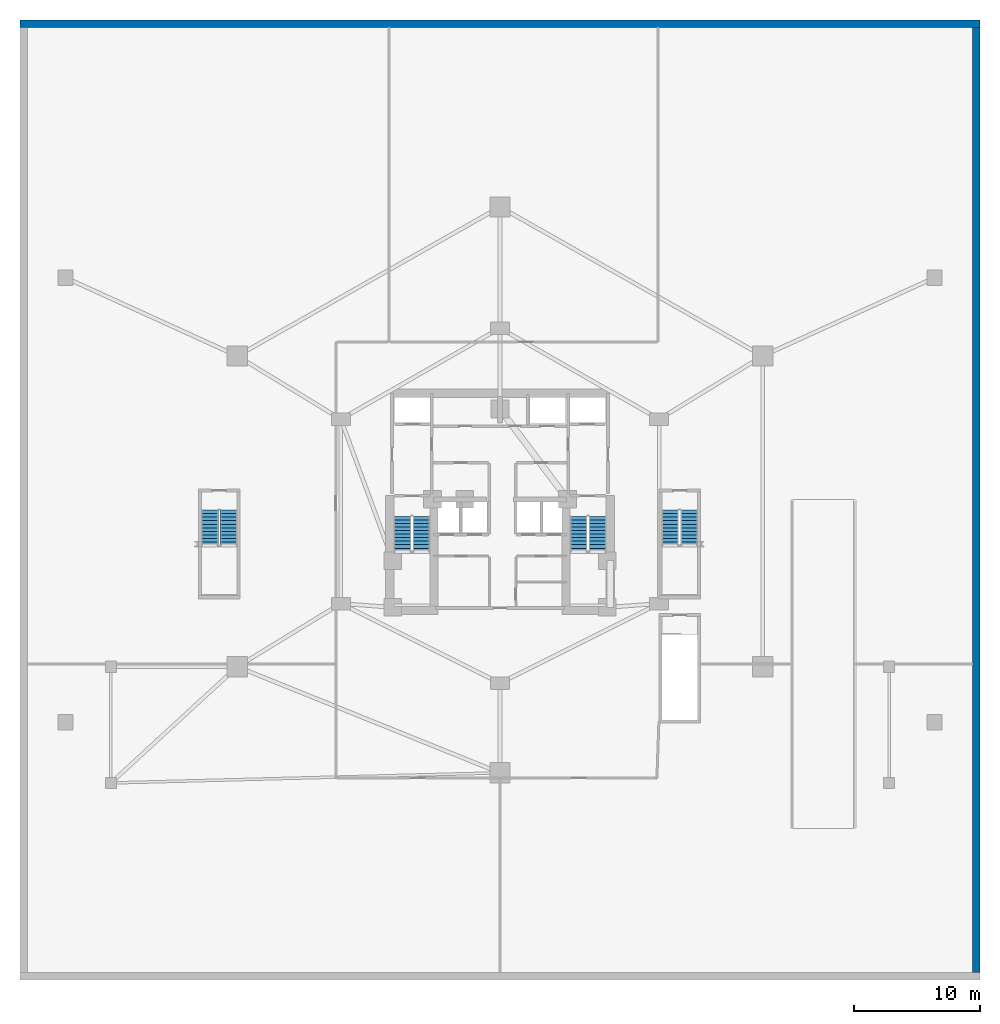
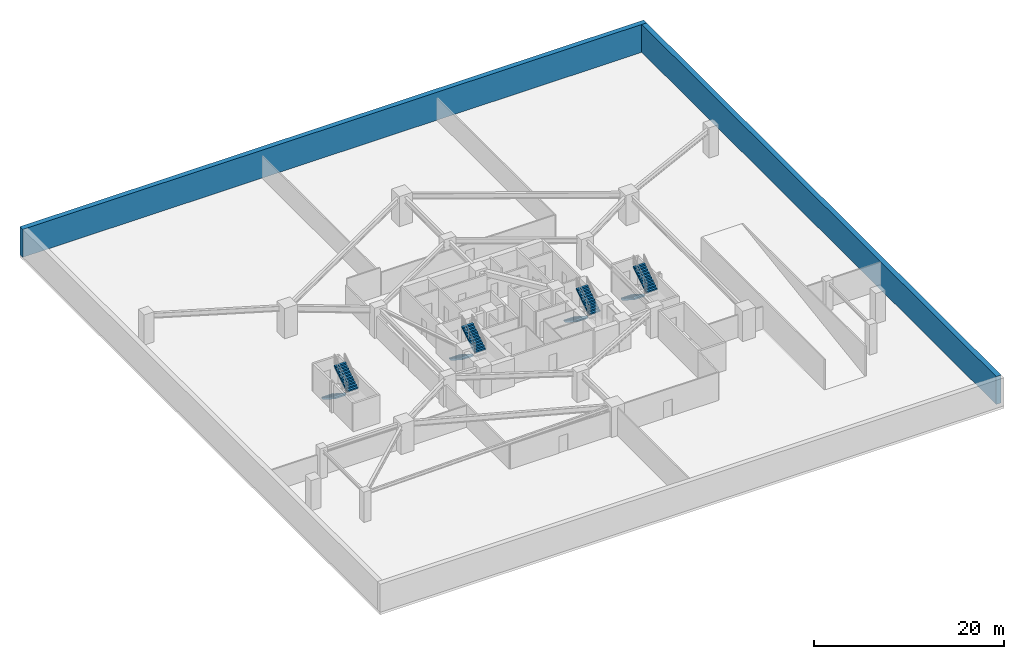
# One storey, part 9 of 10: 8 stair flights, 2 walls, 4 elements without a shape of their own.
"""IFC4 building model written with IfcOpenShell, lengths in metres."""

from ifc_helpers import new_model, si_unit, direction, frame, frame_2d, origin, place, context, subcontext, project, spatial, polyline, rectangle, outline, extrude, material, layer, layer_set, type_object, element, aggregate, save


model = new_model("IFC4")

# Units and contexts
model_context = context("Model", 3, precision=1e-05, world=origin(), true_north=direction((0.0, 1.0)))
body_context = subcontext(model_context, "Body", "Model", "MODEL_VIEW")
ifc_project = project(units=[si_unit("LENGTHUNIT", "METRE"), si_unit("AREAUNIT", "SQUARE_METRE"), si_unit("VOLUMEUNIT", "CUBIC_METRE"), si_unit("PLANEANGLEUNIT", "RADIAN"), si_unit("MASSUNIT", "GRAM", prefix="KILO")], contexts=[model_context])

# Site, building, storey
site_placement = place(None, origin())
site = spatial("IfcSite", under=ifc_project, at=site_placement, CompositionType="ELEMENT")
building_placement = place(site_placement, origin())
building = spatial("IfcBuilding", under=site, at=building_placement, Name="Miruveldt Soraemaru", CompositionType="ELEMENT")
storey_placement = place(building_placement, frame((0.0, 0.0, -3.89990234375)))
storey = spatial("IfcBuildingStorey", under=building, at=storey_placement, Name="B1", CompositionType="ELEMENT", Elevation=-3.89990234375)

# Walls
ifc_material_1 = material(Name="Concrete C50/60 (50 MPa)", Category="concrete")
ifc_layer = layer(ifc_material_1, 0.60009765625, Name="Concrete C50/60 (50 MPa)", Category="concrete")
ifc_layer_set = layer_set([ifc_layer], Name="Concrete C50/60 (50 MPa)")
wall_type = type_object("IfcWallType", Name="WALL-RET-600", PredefinedType="SOLIDWALL", material=ifc_layer_set)
wall_1_placement = place(storey_placement, frame((81.699951171875, 6.60009765625, 0.0), z_axis=(0.0, 0.0, 1.0), x_axis=(0.0, 1.0, 0.0)))
element("IfcWall", 1, at=wall_1_placement, inside=storey, type_object=wall_type, Name="B1 Perimeter Slurry Retaining Wall E", PredefinedType="SOLIDWALL", context=body_context, shape_type="SweptSolid", body=[
    extrude(rectangle(XDim=74.7998046875, YDim=0.60009765625, at=frame_2d((37.39990234375, 0.0))), origin(), (0.0, 0.0, 1.0), 3.599853515625),
])
wall_2_placement = place(storey_placement, frame((82.0, 81.699951171875, 0.0), z_axis=(0.0, 0.0, 1.0), x_axis=(-1.0, 0.0, 0.0)))
element("IfcWall", 2, at=wall_2_placement, inside=storey, type_object=wall_type, Name="B1 Perimeter Slurry Retaining Wall N", PredefinedType="SOLIDWALL", context=body_context, shape_type="SweptSolid", body=[
    extrude(rectangle(XDim=76.0, YDim=0.60009765625, at=frame_2d((38.0, 0.0))), origin(), (0.0, 0.0, 1.0), 3.599853515625),
])

# Stair, stair flights
ifc_material_2 = material(Name="Concrete C40/50 (40 MPa)", Category="concrete")
stair_type_1 = type_object("IfcStairType", Name="STAIR-DL-390", PredefinedType="HALF_TURN_STAIR", material=ifc_material_2)
stair_1_placement = place(storey_placement, origin())
stair_1 = element("IfcStair", 3, at=stair_1_placement, inside=storey, type_object=stair_type_1, Name="B1 Protected Exit Stair ST-1", PredefinedType="HALF_TURN_STAIR")
stair_flight_type_1 = type_object("IfcStairFlightType", Name="SFL-DL-390", PredefinedType="STRAIGHT", material=ifc_material_2)
stair_flight_1_placement = place(storey_placement, frame((36.27490234375, 42.699951171875, 0.0), z_axis=(0.0, 0.0, 1.0), x_axis=(0.0, -1.0, 0.0)))
stair_flight_1 = element("IfcStairFlight", 4, at=stair_flight_1_placement, type_object=stair_flight_type_1, Name="ST-1 flight 1", NumberOfRisers=11, NumberOfTreads=10, PredefinedType="STRAIGHT", RiserHeight=0.177272727, TreadLength=0.28, context=body_context, shape_type="SweptSolid", body=[
    extrude(outline(polyline([(0.0, 0.0), (0.0, 0.17724609375), (0.280029296875, 0.17724609375), (0.280029296875, 0.3544921875), (0.56005859375, 0.3544921875), (0.56005859375, 0.53173828125), (0.840087890625, 0.53173828125), (0.840087890625, 0.708984375), (1.1201171875, 0.708984375), (1.1201171875, 0.886474609375), (1.39990234375, 0.886474609375), (1.39990234375, 1.063720703125), (1.679931640625, 1.063720703125), (1.679931640625, 1.240966796875), (1.9599609375, 1.240966796875), (1.9599609375, 1.418212890625), (2.239990234375, 1.418212890625), (2.239990234375, 1.595458984375), (2.52001953125, 1.595458984375), (2.52001953125, 1.772705078125), (2.800048828125, 1.772705078125), (2.800048828125, 1.949951171875), (2.800048828125, 1.58349609375), (0.298828125, 0.0), (0.0, 0.0)])), frame((0.0, 0.675048828125, 0.0), z_axis=(0.0, -1.0, 0.0), x_axis=(1.0, 0.0, 0.0)), (0.0, 0.0, 1.0), 1.35009765625),
])
stair_flight_2_placement = place(storey_placement, frame((37.77490234375, 39.89990234375, 1.949951171875), z_axis=(0.0, 0.0, 1.0), x_axis=(0.0, 1.0, 0.0)))
stair_flight_2 = element("IfcStairFlight", 5, at=stair_flight_2_placement, type_object=stair_flight_type_1, Name="ST-1 flight 2", NumberOfRisers=11, NumberOfTreads=10, PredefinedType="STRAIGHT", RiserHeight=0.177272727, TreadLength=0.28, context=body_context, shape_type="SweptSolid", body=[
    extrude(outline(polyline([(0.0, 0.0), (0.0, 0.17724609375), (0.280029296875, 0.17724609375), (0.280029296875, 0.3544921875), (0.56005859375, 0.3544921875), (0.56005859375, 0.53173828125), (0.840087890625, 0.53173828125), (0.840087890625, 0.708984375), (1.1201171875, 0.708984375), (1.1201171875, 0.886474609375), (1.39990234375, 0.886474609375), (1.39990234375, 1.063720703125), (1.679931640625, 1.063720703125), (1.679931640625, 1.240966796875), (1.9599609375, 1.240966796875), (1.9599609375, 1.418212890625), (2.239990234375, 1.418212890625), (2.239990234375, 1.595458984375), (2.52001953125, 1.595458984375), (2.52001953125, 1.772705078125), (2.800048828125, 1.772705078125), (2.800048828125, 1.949951171875), (2.800048828125, 1.58349609375), (0.298828125, 0.0), (0.0, 0.0)])), frame((0.0, 0.675048828125, 0.0), z_axis=(0.0, -1.0, 0.0), x_axis=(1.0, 0.0, 0.0)), (0.0, 0.0, 1.0), 1.35009765625),
])
aggregate(stair_1, [stair_flight_1, stair_flight_2])

stair_2_placement = place(storey_placement, origin())
stair_2 = element("IfcStair", 6, at=stair_2_placement, inside=storey, type_object=stair_type_1, Name="B1 Protected Exit Stair ST-2", PredefinedType="HALF_TURN_STAIR")
stair_flight_3_placement = place(storey_placement, frame((50.22509765625, 42.699951171875, 0.0), z_axis=(0.0, 0.0, 1.0), x_axis=(0.0, -1.0, 0.0)))
stair_flight_3 = element("IfcStairFlight", 7, at=stair_flight_3_placement, type_object=stair_flight_type_1, Name="ST-2 flight 1", NumberOfRisers=11, NumberOfTreads=10, PredefinedType="STRAIGHT", RiserHeight=0.177272727, TreadLength=0.28, context=body_context, shape_type="SweptSolid", body=[
    extrude(outline(polyline([(0.0, 0.0), (0.0, 0.17724609375), (0.280029296875, 0.17724609375), (0.280029296875, 0.3544921875), (0.56005859375, 0.3544921875), (0.56005859375, 0.53173828125), (0.840087890625, 0.53173828125), (0.840087890625, 0.708984375), (1.1201171875, 0.708984375), (1.1201171875, 0.886474609375), (1.39990234375, 0.886474609375), (1.39990234375, 1.063720703125), (1.679931640625, 1.063720703125), (1.679931640625, 1.240966796875), (1.9599609375, 1.240966796875), (1.9599609375, 1.418212890625), (2.239990234375, 1.418212890625), (2.239990234375, 1.595458984375), (2.52001953125, 1.595458984375), (2.52001953125, 1.772705078125), (2.800048828125, 1.772705078125), (2.800048828125, 1.949951171875), (2.800048828125, 1.58349609375), (0.298828125, 0.0), (0.0, 0.0)])), frame((0.0, 0.675048828125, 0.0), z_axis=(0.0, -1.0, 0.0), x_axis=(1.0, 0.0, 0.0)), (0.0, 0.0, 1.0), 1.35009765625),
])
stair_flight_4_placement = place(storey_placement, frame((51.72509765625, 39.89990234375, 1.949951171875), z_axis=(0.0, 0.0, 1.0), x_axis=(0.0, 1.0, 0.0)))
stair_flight_4 = element("IfcStairFlight", 8, at=stair_flight_4_placement, type_object=stair_flight_type_1, Name="ST-2 flight 2", NumberOfRisers=11, NumberOfTreads=10, PredefinedType="STRAIGHT", RiserHeight=0.177272727, TreadLength=0.28, context=body_context, shape_type="SweptSolid", body=[
    extrude(outline(polyline([(0.0, 0.0), (0.0, 0.17724609375), (0.280029296875, 0.17724609375), (0.280029296875, 0.3544921875), (0.56005859375, 0.3544921875), (0.56005859375, 0.53173828125), (0.840087890625, 0.53173828125), (0.840087890625, 0.708984375), (1.1201171875, 0.708984375), (1.1201171875, 0.886474609375), (1.39990234375, 0.886474609375), (1.39990234375, 1.063720703125), (1.679931640625, 1.063720703125), (1.679931640625, 1.240966796875), (1.9599609375, 1.240966796875), (1.9599609375, 1.418212890625), (2.239990234375, 1.418212890625), (2.239990234375, 1.595458984375), (2.52001953125, 1.595458984375), (2.52001953125, 1.772705078125), (2.800048828125, 1.772705078125), (2.800048828125, 1.949951171875), (2.800048828125, 1.58349609375), (0.298828125, 0.0), (0.0, 0.0)])), frame((0.0, 0.675048828125, 0.0), z_axis=(0.0, -1.0, 0.0), x_axis=(1.0, 0.0, 0.0)), (0.0, 0.0, 1.0), 1.35009765625),
])
aggregate(stair_2, [stair_flight_3, stair_flight_4])

stair_3_placement = place(storey_placement, origin())
stair_3 = element("IfcStair", 9, at=stair_3_placement, inside=storey, type_object=stair_type_1, Name="B1 Podium Protected Exit Stair ST-3", PredefinedType="HALF_TURN_STAIR")
stair_flight_5_placement = place(storey_placement, frame((21.02490234375, 43.199951171875, 0.0), z_axis=(0.0, 0.0, 1.0), x_axis=(0.0, -1.0, 0.0)))
stair_flight_5 = element("IfcStairFlight", 10, at=stair_flight_5_placement, type_object=stair_flight_type_1, Name="ST-3 flight 1", NumberOfRisers=11, NumberOfTreads=10, PredefinedType="STRAIGHT", RiserHeight=0.177272727, TreadLength=0.28, context=body_context, shape_type="SweptSolid", body=[
    extrude(outline(polyline([(0.0, 0.0), (0.0, 0.17724609375), (0.280029296875, 0.17724609375), (0.280029296875, 0.3544921875), (0.56005859375, 0.3544921875), (0.56005859375, 0.53173828125), (0.840087890625, 0.53173828125), (0.840087890625, 0.708984375), (1.1201171875, 0.708984375), (1.1201171875, 0.886474609375), (1.39990234375, 0.886474609375), (1.39990234375, 1.063720703125), (1.679931640625, 1.063720703125), (1.679931640625, 1.240966796875), (1.9599609375, 1.240966796875), (1.9599609375, 1.418212890625), (2.239990234375, 1.418212890625), (2.239990234375, 1.595458984375), (2.52001953125, 1.595458984375), (2.52001953125, 1.772705078125), (2.800048828125, 1.772705078125), (2.800048828125, 1.949951171875), (2.800048828125, 1.58349609375), (0.298828125, 0.0), (0.0, 0.0)])), frame((0.0, 0.675048828125, 0.0), z_axis=(0.0, -1.0, 0.0), x_axis=(1.0, 0.0, 0.0)), (0.0, 0.0, 1.0), 1.35009765625),
])
stair_flight_6_placement = place(storey_placement, frame((22.52490234375, 40.39990234375, 1.949951171875), z_axis=(0.0, 0.0, 1.0), x_axis=(0.0, 1.0, 0.0)))
stair_flight_6 = element("IfcStairFlight", 11, at=stair_flight_6_placement, type_object=stair_flight_type_1, Name="ST-3 flight 2", NumberOfRisers=11, NumberOfTreads=10, PredefinedType="STRAIGHT", RiserHeight=0.177272727, TreadLength=0.28, context=body_context, shape_type="SweptSolid", body=[
    extrude(outline(polyline([(0.0, 0.0), (0.0, 0.17724609375), (0.280029296875, 0.17724609375), (0.280029296875, 0.3544921875), (0.56005859375, 0.3544921875), (0.56005859375, 0.53173828125), (0.840087890625, 0.53173828125), (0.840087890625, 0.708984375), (1.1201171875, 0.708984375), (1.1201171875, 0.886474609375), (1.39990234375, 0.886474609375), (1.39990234375, 1.063720703125), (1.679931640625, 1.063720703125), (1.679931640625, 1.240966796875), (1.9599609375, 1.240966796875), (1.9599609375, 1.418212890625), (2.239990234375, 1.418212890625), (2.239990234375, 1.595458984375), (2.52001953125, 1.595458984375), (2.52001953125, 1.772705078125), (2.800048828125, 1.772705078125), (2.800048828125, 1.949951171875), (2.800048828125, 1.58349609375), (0.298828125, 0.0), (0.0, 0.0)])), frame((0.0, 0.675048828125, 0.0), z_axis=(0.0, -1.0, 0.0), x_axis=(1.0, 0.0, 0.0)), (0.0, 0.0, 1.0), 1.35009765625),
])
aggregate(stair_3, [stair_flight_5, stair_flight_6])

ifc_material_3 = material(Name="Steel S355 (355 MPa)", Category="steel")
stair_type_2 = type_object("IfcStairType", Name="STAIR-FEAT-STR", PredefinedType="TWO_STRAIGHT_RUN_STAIR", material=ifc_material_3)
stair_4_placement = place(storey_placement, origin())
stair_4 = element("IfcStair", 12, at=stair_4_placement, inside=storey, type_object=stair_type_2, Name="B1 Podium Garden Feature Stair ST-4", PredefinedType="TWO_STRAIGHT_RUN_STAIR")
stair_flight_type_2 = type_object("IfcStairFlightType", Name="SFL-FEAT-STR", PredefinedType="STRAIGHT", material=ifc_material_3)
stair_flight_7_placement = place(storey_placement, frame((57.47509765625, 43.199951171875, 0.0), z_axis=(0.0, 0.0, 1.0), x_axis=(0.0, -1.0, 0.0)))
stair_flight_7 = element("IfcStairFlight", 13, at=stair_flight_7_placement, type_object=stair_flight_type_2, Name="ST-4 flight 1", NumberOfRisers=11, NumberOfTreads=10, PredefinedType="STRAIGHT", RiserHeight=0.177272727, TreadLength=0.28, context=body_context, shape_type="SweptSolid", body=[
    extrude(outline(polyline([(0.0, 0.0), (0.0, 0.17724609375), (0.280029296875, 0.17724609375), (0.280029296875, 0.3544921875), (0.56005859375, 0.3544921875), (0.56005859375, 0.53173828125), (0.840087890625, 0.53173828125), (0.840087890625, 0.708984375), (1.1201171875, 0.708984375), (1.1201171875, 0.886474609375), (1.39990234375, 0.886474609375), (1.39990234375, 1.063720703125), (1.679931640625, 1.063720703125), (1.679931640625, 1.240966796875), (1.9599609375, 1.240966796875), (1.9599609375, 1.418212890625), (2.239990234375, 1.418212890625), (2.239990234375, 1.595458984375), (2.52001953125, 1.595458984375), (2.52001953125, 1.772705078125), (2.800048828125, 1.772705078125), (2.800048828125, 1.949951171875), (2.800048828125, 1.58349609375), (0.298828125, 0.0), (0.0, 0.0)])), frame((0.0, 0.675048828125, 0.0), z_axis=(0.0, -1.0, 0.0), x_axis=(1.0, 0.0, 0.0)), (0.0, 0.0, 1.0), 1.35009765625),
])
stair_flight_8_placement = place(storey_placement, frame((58.97509765625, 40.39990234375, 1.949951171875), z_axis=(0.0, 0.0, 1.0), x_axis=(0.0, 1.0, 0.0)))
stair_flight_8 = element("IfcStairFlight", 14, at=stair_flight_8_placement, type_object=stair_flight_type_2, Name="ST-4 flight 2", NumberOfRisers=11, NumberOfTreads=10, PredefinedType="STRAIGHT", RiserHeight=0.177272727, TreadLength=0.28, context=body_context, shape_type="SweptSolid", body=[
    extrude(outline(polyline([(0.0, 0.0), (0.0, 0.17724609375), (0.280029296875, 0.17724609375), (0.280029296875, 0.3544921875), (0.56005859375, 0.3544921875), (0.56005859375, 0.53173828125), (0.840087890625, 0.53173828125), (0.840087890625, 0.708984375), (1.1201171875, 0.708984375), (1.1201171875, 0.886474609375), (1.39990234375, 0.886474609375), (1.39990234375, 1.063720703125), (1.679931640625, 1.063720703125), (1.679931640625, 1.240966796875), (1.9599609375, 1.240966796875), (1.9599609375, 1.418212890625), (2.239990234375, 1.418212890625), (2.239990234375, 1.595458984375), (2.52001953125, 1.595458984375), (2.52001953125, 1.772705078125), (2.800048828125, 1.772705078125), (2.800048828125, 1.949951171875), (2.800048828125, 1.58349609375), (0.298828125, 0.0), (0.0, 0.0)])), frame((0.0, 0.675048828125, 0.0), z_axis=(0.0, -1.0, 0.0), x_axis=(1.0, 0.0, 0.0)), (0.0, 0.0, 1.0), 1.35009765625),
])
aggregate(stair_4, [stair_flight_7, stair_flight_8])

save(model, "model.ifc")
